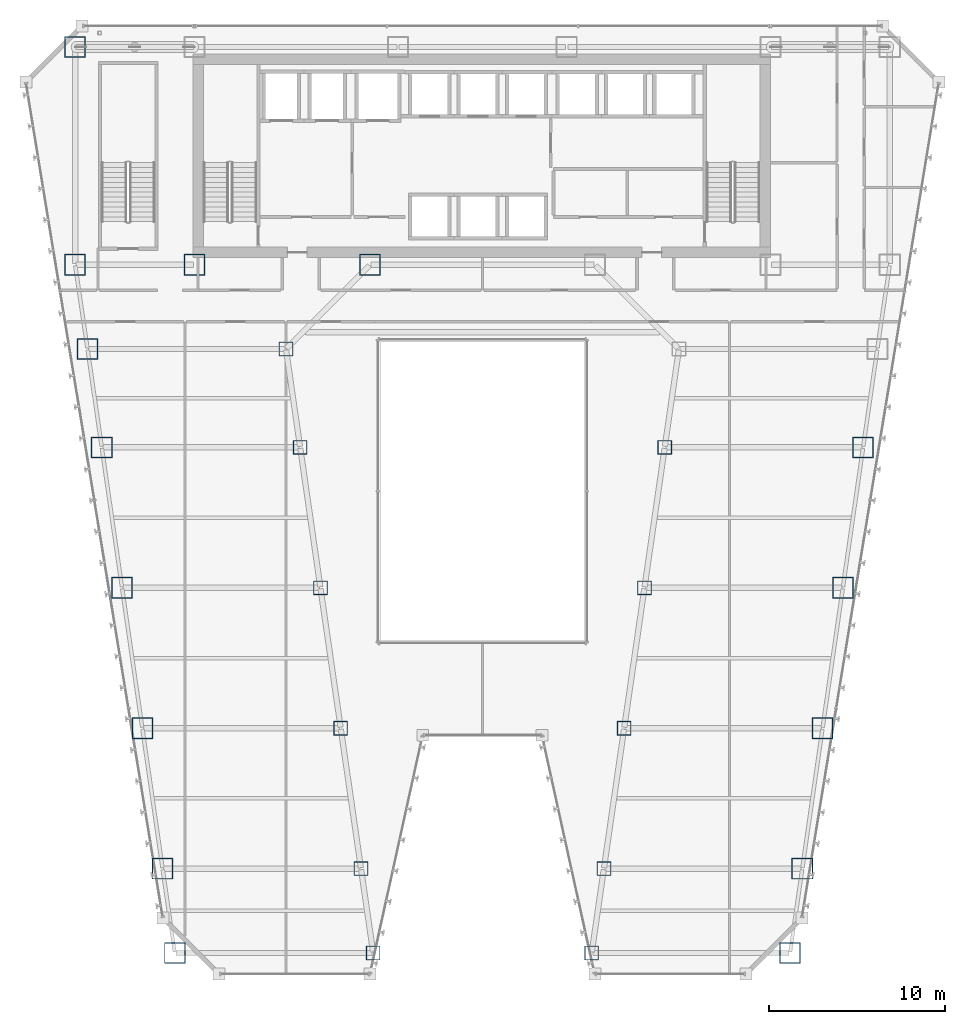
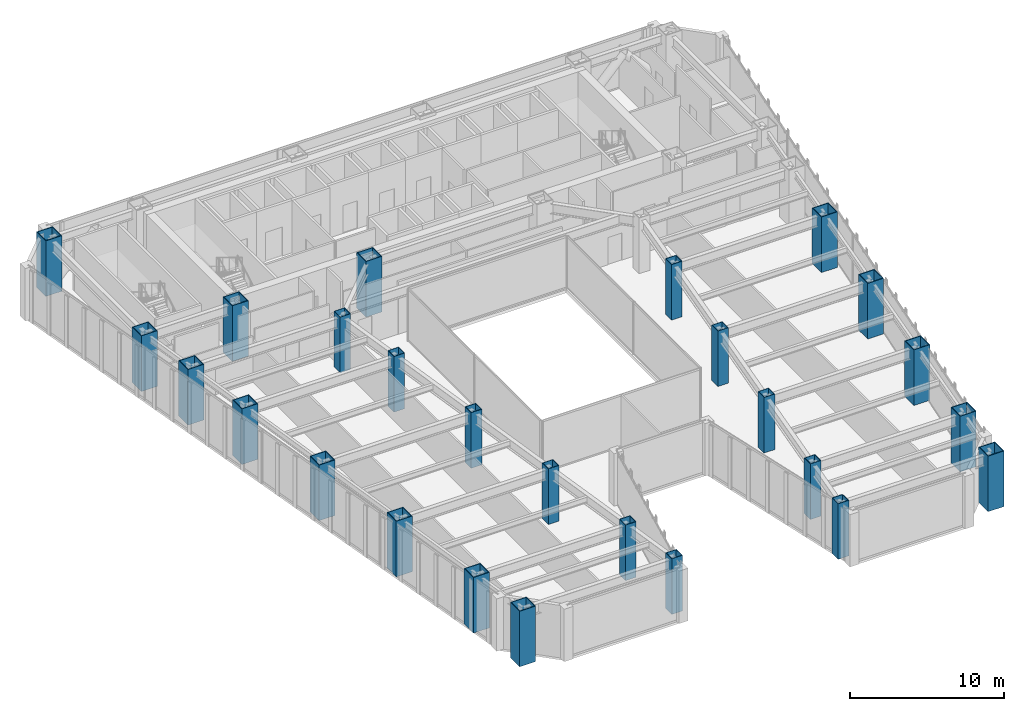
# One storey, part 1 of 47: 26 columns.
"""IFC4 building model written with IfcOpenShell, lengths in metres."""

import ifcopenshell
import ifcopenshell.guid

model = None  # the IFC model being written
_history = None  # IfcOwnerHistory: only IFC2X3 demands one
_inside = {}  # id of a spatial element -> (the spatial element, [elements in it])
_under = {}  # id of a project, library or spatial element -> (it, [spatial elements below it])
_declared = {}  # id of a project -> (the project, [libraries it declares])
_typed = {}  # id of a type object -> (the type object, [elements of that type])
_made_of = {}  # id of a material, layer set ... -> (it, [elements and type objects made of it])


def new_model(schema):
    """Start an empty IFC model of exactly this schema.

    Asked for "IFC4X3", IfcOpenShell would pick the latest addendum, in which some entities
    have other attributes; the version numbers below select the first issue.
    IFC2X3 requires an IfcOwnerHistory on every rooted entity: one is made here for all.
    """
    global model, _history
    if schema == "IFC4X3":
        model = ifcopenshell.file(schema_version=(4, 3, 0, 0))
    else:
        model = ifcopenshell.file(schema=schema)
    _inside.clear()
    _under.clear()
    _declared.clear()
    _typed.clear()
    _made_of.clear()
    _history = None
    if model.schema == "IFC2X3":
        org = make("IfcOrganization", Name="unknown")
        user = make(
            "IfcPersonAndOrganization",
            ThePerson=make("IfcPerson", FamilyName="unknown"),
            TheOrganization=org,
        )
        app = make(
            "IfcApplication",
            ApplicationDeveloper=org,
            Version="unknown",
            ApplicationFullName="unknown",
            ApplicationIdentifier="unknown",
        )
        _history = make(
            "IfcOwnerHistory",
            OwningUser=user,
            OwningApplication=app,
            ChangeAction="ADDED",
            CreationDate=0,
        )
    return model


def make(cls, **values):
    """One entity of the class cls with the attributes given. An attribute that is None is left unset."""
    return model.create_entity(
        cls, **{name: value for name, value in values.items() if value is not None}
    )


def rooted(cls, **values):
    """An entity with a GlobalId (a new one), such as an element, a storey or a relation."""
    return make(cls, GlobalId=ifcopenshell.guid.new(), OwnerHistory=_history, **values)


def si_unit(unit_type, name, prefix=None):
    """IfcSIUnit, for example si_unit("LENGTHUNIT", "METRE", prefix="MILLI")."""
    return make("IfcSIUnit", UnitType=unit_type, Prefix=prefix, Name=name)


def assignment(units):
    """IfcUnitAssignment: the units of a project."""
    return None if units is None else make("IfcUnitAssignment", Units=units)


def point(xyz):
    """IfcCartesianPoint."""
    return None if xyz is None else make("IfcCartesianPoint", Coordinates=xyz)


def direction(xyz):
    """IfcDirection."""
    return None if xyz is None else make("IfcDirection", DirectionRatios=xyz)


def frame(location, z_axis=None, x_axis=None):
    """IfcAxis2Placement3D, a coordinate frame: its origin and axes. An axis left out is left unset."""
    return make(
        "IfcAxis2Placement3D",
        Location=point(location),
        Axis=direction(z_axis),
        RefDirection=direction(x_axis),
    )


def frame_2d(location, x_axis=None):
    """IfcAxis2Placement2D, a coordinate frame in the plane: its origin and x axis."""
    return make(
        "IfcAxis2Placement2D", Location=point(location), RefDirection=direction(x_axis)
    )


def origin():
    """The frame at (0, 0, 0) with its axes left unset."""
    return frame((0.0, 0.0, 0.0))


def origin_2d():
    """The frame at (0, 0) in the plane with its x axis left unset."""
    return frame_2d((0.0, 0.0))


def place(relative_to, where):
    """IfcLocalPlacement: puts the frame where relative to a parent placement (None: the world)."""
    return make(
        "IfcLocalPlacement", PlacementRelTo=relative_to, RelativePlacement=where
    )


def context(
    kind, dimensions, precision=None, world=None, true_north=None, identifier=None
):
    """IfcGeometricRepresentationContext, for example the 3D "Model" context."""
    return make(
        "IfcGeometricRepresentationContext",
        ContextIdentifier=identifier,
        ContextType=kind,
        CoordinateSpaceDimension=dimensions,
        Precision=precision,
        WorldCoordinateSystem=world,
        TrueNorth=true_north,
    )


def subcontext(parent, identifier, kind, view, scale=None):
    """IfcGeometricRepresentationSubContext, for example "Body" below "Model"."""
    return make(
        "IfcGeometricRepresentationSubContext",
        ContextIdentifier=identifier,
        ContextType=kind,
        ParentContext=parent,
        TargetScale=scale,
        TargetView=view,
    )


def project(units=None, contexts=None):
    """IfcProject with its units and contexts."""
    return rooted(
        "IfcProject",
        Name="project",
        RepresentationContexts=contexts,
        UnitsInContext=assignment(units),
    )


def spatial(cls, under=None, at=None, **own):
    """A site, building, storey or space (cls), placed at a placement, below another one or the project."""
    s = rooted(cls, ObjectPlacement=at, **own)
    if under is not None:
        _under.setdefault(under.id(), (under, []))[1].append(s)
    return s


def profile(cls, at=None, kind="AREA", **sizes):
    """A parametric profile (cls). Its sizes go by their IFC names, for example OverallWidth=200.0."""
    return make(cls, ProfileType=kind, Position=at, **sizes)


def hollow_rectangle(**sizes):
    """IfcRectangleHollowProfileDef."""
    return profile("IfcRectangleHollowProfileDef", **sizes)


def extrude(swept, where, along, depth):
    """IfcExtrudedAreaSolid: the profile swept, set in the frame where, extruded along a direction by depth."""
    return make(
        "IfcExtrudedAreaSolid",
        SweptArea=swept,
        Position=where,
        ExtrudedDirection=direction(along),
        Depth=depth,
    )


def shape(context_of_items, identifier, shape_type, items):
    """IfcShapeRepresentation: the items that make up one representation, for example the "Body"."""
    return make(
        "IfcShapeRepresentation",
        ContextOfItems=context_of_items,
        RepresentationIdentifier=identifier,
        RepresentationType=shape_type,
        Items=items,
    )


def material(Name=None, Category=None):
    """IfcMaterial."""
    return make("IfcMaterial", Name=Name, Category=Category)


def material_profile(
    of_material, cross_section, Name=None, Category=None, Priority=None
):
    """IfcMaterialProfile: a cross section and its material."""
    return make(
        "IfcMaterialProfile",
        Name=Name,
        Material=of_material,
        Profile=cross_section,
        Priority=Priority,
        Category=Category,
    )


def profile_set(profiles, Name=None, composite=None):
    """IfcMaterialProfileSet."""
    return make(
        "IfcMaterialProfileSet",
        Name=Name,
        MaterialProfiles=profiles,
        CompositeProfile=composite,
    )


def made_of(thing, what):
    """Note that an element or type object is made of a material, layer set ...; save() writes the relation."""
    if what is not None:
        _made_of.setdefault(what.id(), (what, []))[1].append(thing)
    return thing


def type_object(cls, material=None, **own):
    """A type object (cls), such as IfcWallType, which elements share."""
    return made_of(rooted(cls, **own), material)


def element(
    cls,
    number,
    at=None,
    inside=None,
    cuts=None,
    type_object=None,
    material=None,
    context=None,
    identifier="Body",
    shape_type=None,
    held_by="IfcProductDefinitionShape",
    body=None,
    shapes=None,
    **own,
):
    """One element of the class cls, such as IfcWall. Its Tag is "e" and its number.

    at: its placement. inside: the storey or other place that contains it. cuts: it is an
    opening in that element (IfcRelVoidsElement). A single representation is given by context,
    identifier, shape_type and body (its items); several are given by shapes. held_by: the class
    of the entity that holds the representations. save() writes the other relations.
    """
    e = rooted(cls, Tag="e%d" % number, ObjectPlacement=at, **own)
    if body is not None:
        shapes = [shape(context, identifier, shape_type, body)]
    if shapes is not None:
        e.Representation = make(held_by, Representations=shapes)
    if inside is not None:
        _inside.setdefault(inside.id(), (inside, []))[1].append(e)
    if cuts is not None:
        rooted(
            "IfcRelVoidsElement", RelatingBuildingElement=cuts, RelatedOpeningElement=e
        )
    if type_object is not None:
        _typed.setdefault(type_object.id(), (type_object, []))[1].append(e)
    return made_of(e, material)


def aggregate(whole, parts):
    """IfcRelAggregates: a whole, such as a stair, and the parts it consists of."""
    return rooted("IfcRelAggregates", RelatingObject=whole, RelatedObjects=parts)


def save(model, path):
    """Write the relations noted so far, then the file.

    IfcRelAggregates (storeys below a building ...), IfcRelContainedInSpatialStructure (elements
    in a storey), IfcRelDefinesByType, IfcRelAssociatesMaterial and IfcRelDeclares: one each for
    every whole, place, type object, material and project.
    """
    for whole, parts in _under.values():
        aggregate(whole, parts)
    for where, things in _inside.values():
        rooted(
            "IfcRelContainedInSpatialStructure",
            RelatedElements=things,
            RelatingStructure=where,
        )
    for kind, things in _typed.values():
        rooted("IfcRelDefinesByType", RelatedObjects=things, RelatingType=kind)
    for what, things in _made_of.values():
        rooted("IfcRelAssociatesMaterial", RelatedObjects=things, RelatingMaterial=what)
    for by, libraries in _declared.values():
        rooted("IfcRelDeclares", RelatingContext=by, RelatedDefinitions=libraries)
    model.write(path)


model = new_model("IFC4")

# Units and contexts
model_context = context("Model", 3, precision=1e-05, world=origin(), true_north=direction((0.0, 1.0)))
body_context = subcontext(model_context, "Body", "Model", "MODEL_VIEW")
ifc_project = project(units=[si_unit("LENGTHUNIT", "METRE"), si_unit("AREAUNIT", "SQUARE_METRE"), si_unit("VOLUMEUNIT", "CUBIC_METRE"), si_unit("PLANEANGLEUNIT", "RADIAN"), si_unit("MASSUNIT", "GRAM", prefix="KILO")], contexts=[model_context])

# Site, building, storey
site_placement = place(None, origin())
site = spatial("IfcSite", under=ifc_project, at=site_placement, CompositionType="ELEMENT")
building_placement = place(site_placement, origin())
building = spatial("IfcBuilding", under=site, at=building_placement, Name="Saevonmaru Cultural Tower", CompositionType="ELEMENT")
storey_placement = place(building_placement, frame((0.0, 0.0, 51.60009765625)))
storey = spatial("IfcBuildingStorey", under=building, at=storey_placement, Name="L10", CompositionType="ELEMENT", Elevation=51.60009765625)

# Columns
ifc_material_1 = material(Name="Steel HSA600 (600 MPa)", Category="steel")
ifc_material_profile_1 = material_profile(ifc_material_1, hollow_rectangle(XDim=1.199951171875, YDim=1.199951171875, WallThickness=0.054931640625, at=origin_2d()), Name="BOX-1200x1200x55")
ifc_profile_set_1 = profile_set([ifc_material_profile_1], Name="Steel HSA600 (600 MPa)")
column_type_1 = type_object("IfcColumnType", Name="COL-BOX-1200", PredefinedType="COLUMN", material=ifc_profile_set_1)
for number, where, z_axis, x_axis, name in (
    (1, (6.800048828125, 54.800048828125, 0.0), (0.0, 0.0, 1.0), (1.0, 0.0, 0.0), "L10 Column TC-N1N"),
    (2, (6.800048828125, 42.39990234375, 0.0), (0.0, 0.0, 1.0), (1.0, 0.0, 0.0), "L10 Column TC-S1C"),
    (3, (13.60009765625, 42.39990234375, 0.0), (0.0, 0.0, 1.0), (1.0, 0.0, 0.0), "L10 Column TC-S2C"),
    (4, (23.60009765625, 42.39990234375, 0.0), (0.0, 0.0, 1.0), (1.0, 0.0, 0.0), "L10 Column TC-S3C"),
    (5, (12.47705078125, 3.199951171875, 0.0), (0.0, 0.0, 1.0), (1.0, 0.0, 0.0), "L10 Column TC-WO-Y032"),
    (6, (47.52294921875, 3.199951171875, 0.0), (0.0, 0.0, 1.0), (1.0, 0.0, 0.0), "L10 Column TC-EO-Y032"),
    (7, (11.782958984375, 8.0, 0.0), (0.0, 0.0, 1.0), (1.0, 0.0, 0.0), "L10 Column TC-WO-Y080"),
    (8, (48.217041015625, 8.0, 0.0), (0.0, 0.0, 1.0), (1.0, 0.0, 0.0), "L10 Column TC-EO-Y080"),
    (9, (10.6279296875, 16.0, 0.0), (0.0, 0.0, 1.0), (1.0, 0.0, 0.0), "L10 Column TC-WO-Y160"),
    (10, (49.3720703125, 16.0, 0.0), (0.0, 0.0, 1.0), (1.0, 0.0, 0.0), "L10 Column TC-EO-Y160"),
    (11, (9.471923828125, 24.0, 0.0), (0.0, 0.0, 1.0), (1.0, 0.0, 0.0), "L10 Column TC-WO-Y240"),
    (12, (50.528076171875, 24.0, 0.0), (0.0, 0.0, 1.0), (1.0, 0.0, 0.0), "L10 Column TC-EO-Y240"),
    (13, (8.31689453125, 32.0, 0.0), (0.0, 0.0, 1.0), (1.0, 0.0, 0.0), "L10 Column TC-WO-Y320"),
    (14, (51.68310546875, 32.0, 0.0), (0.0, 0.0, 1.0), (1.0, 0.0, 0.0), "L10 Column TC-EO-Y320"),
    (15, (7.508056640625, 37.60009765625, 0.0), (0.0, 0.0, 1.0), (1.0, 0.0, 0.0), "L10 Column TC-WO-Y376"),
):
    element("IfcColumn", number, at=place(storey_placement, frame(where, z_axis=z_axis, x_axis=x_axis)), inside=storey, type_object=column_type_1, Name=name, PredefinedType="COLUMN", context=body_context, shape_type="SweptSolid", body=[
        extrude(hollow_rectangle(XDim=1.199951171875, YDim=1.199951171875, WallThickness=0.054931640625, at=origin_2d()), origin(), (0.0, 0.0, 1.0), 4.39990234375),
    ])
ifc_material_2 = material(Name="Steel SM420", Category="steel")
ifc_material_profile_2 = material_profile(ifc_material_2, hollow_rectangle(XDim=0.800048828125, YDim=0.800048828125, WallThickness=0.035888671875, at=origin_2d()), Name="BOX-800x800x36")
ifc_profile_set_2 = profile_set([ifc_material_profile_2], Name="Steel SM420")
column_type_2 = type_object("IfcColumnType", Name="COL-BOX-800", PredefinedType="COLUMN", material=ifc_profile_set_2)
for number, where, z_axis, x_axis, name in (
    (16, (23.777099609375, 3.199951171875, 0.0), (0.0, 0.0, 1.0), (1.0, 0.0, 0.0), "L10 Column TC-WI-Y032"),
    (17, (36.222900390625, 3.199951171875, 0.0), (0.0, 0.0, 1.0), (1.0, 0.0, 0.0), "L10 Column TC-EI-Y032"),
    (18, (23.0830078125, 8.0, 0.0), (0.0, 0.0, 1.0), (1.0, 0.0, 0.0), "L10 Column TC-WI-Y080"),
    (19, (36.9169921875, 8.0, 0.0), (0.0, 0.0, 1.0), (1.0, 0.0, 0.0), "L10 Column TC-EI-Y080"),
    (20, (21.927978515625, 16.0, 0.0), (0.0, 0.0, 1.0), (1.0, 0.0, 0.0), "L10 Column TC-WI-Y160"),
    (21, (38.072021484375, 16.0, 0.0), (0.0, 0.0, 1.0), (1.0, 0.0, 0.0), "L10 Column TC-EI-Y160"),
    (22, (20.77197265625, 24.0, 0.0), (0.0, 0.0, 1.0), (1.0, 0.0, 0.0), "L10 Column TC-WI-Y240"),
    (23, (39.22802734375, 24.0, 0.0), (0.0, 0.0, 1.0), (1.0, 0.0, 0.0), "L10 Column TC-EI-Y240"),
    (24, (19.616943359375, 32.0, 0.0), (0.0, 0.0, 1.0), (1.0, 0.0, 0.0), "L10 Column TC-WI-Y320"),
    (25, (40.383056640625, 32.0, 0.0), (0.0, 0.0, 1.0), (1.0, 0.0, 0.0), "L10 Column TC-EI-Y320"),
    (26, (18.80810546875, 37.60009765625, 0.0), (0.0, 0.0, 1.0), (1.0, 0.0, 0.0), "L10 Column TC-WI-Y376"),
):
    element("IfcColumn", number, at=place(storey_placement, frame(where, z_axis=z_axis, x_axis=x_axis)), inside=storey, type_object=column_type_2, Name=name, PredefinedType="COLUMN", context=body_context, shape_type="SweptSolid", body=[
        extrude(hollow_rectangle(XDim=0.800048828125, YDim=0.800048828125, WallThickness=0.035888671875, at=origin_2d()), origin(), (0.0, 0.0, 1.0), 4.39990234375),
    ])

save(model, "model.ifc")
